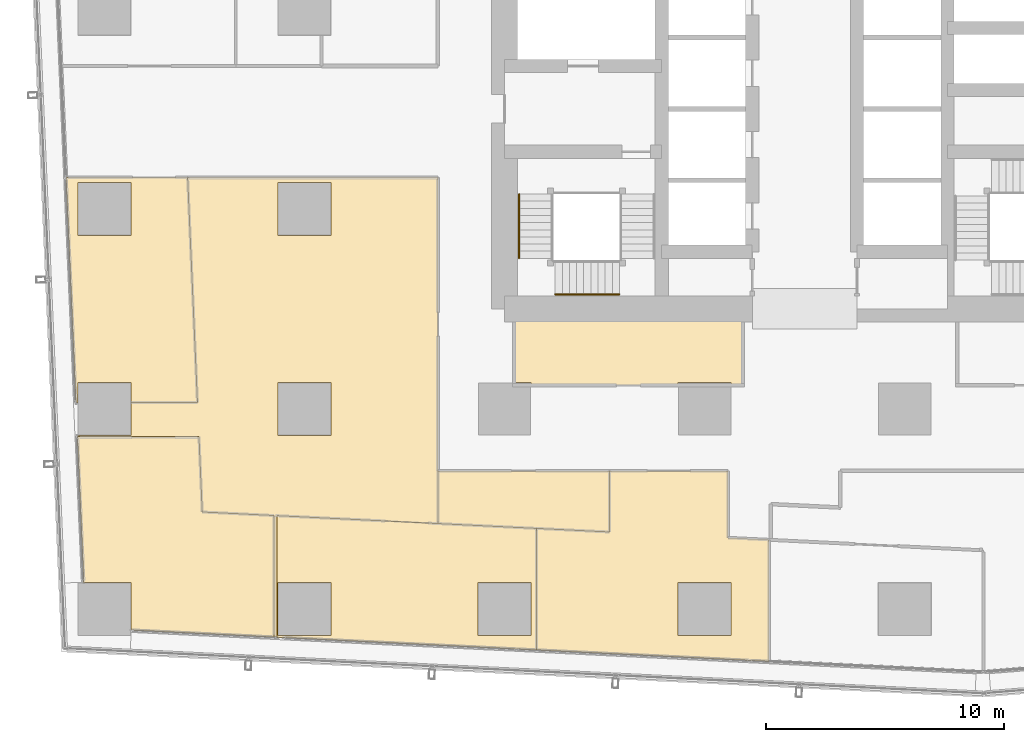
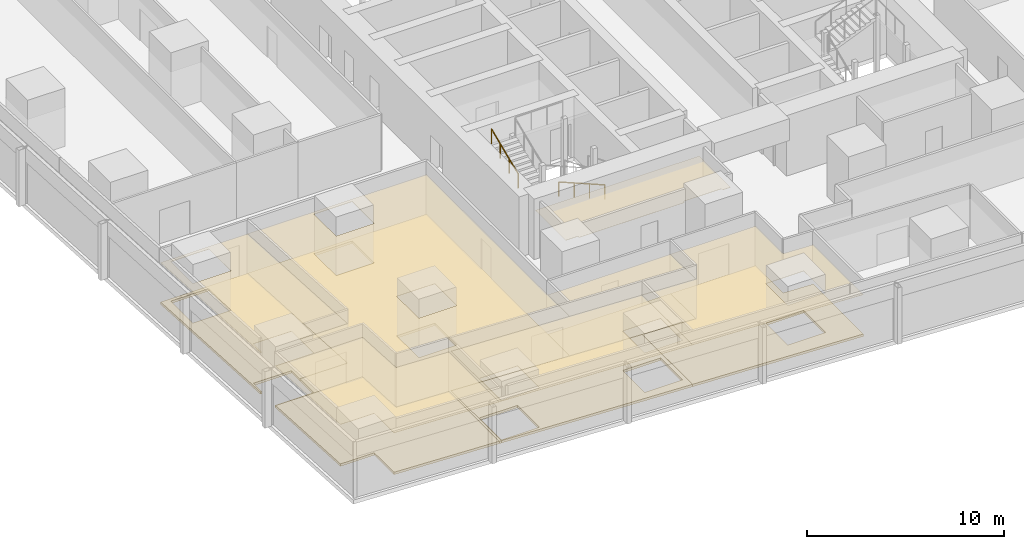
# One storey, part 36 of 44: 13 coverings, 2 railings.
"""IFC4 building model written with IfcOpenShell, lengths in metres."""

from ifc_helpers import new_model, si_unit, direction, frame, origin, origin_2d, place, context, subcontext, project, spatial, polyline, circle, outline, extrude, material, layer, layer_set, type_object, element, save


model = new_model("IFC4")

# Units and contexts
model_context = context("Model", 3, precision=1e-05, world=origin(), true_north=direction((0.0, 1.0)))
body_context = subcontext(model_context, "Body", "Model", "MODEL_VIEW")
ifc_project = project(units=[si_unit("LENGTHUNIT", "METRE"), si_unit("AREAUNIT", "SQUARE_METRE"), si_unit("VOLUMEUNIT", "CUBIC_METRE"), si_unit("PLANEANGLEUNIT", "RADIAN"), si_unit("MASSUNIT", "GRAM", prefix="KILO")], contexts=[model_context])

# Site, building, storey
site_placement = place(None, origin())
site = spatial("IfcSite", under=ifc_project, at=site_placement, CompositionType="ELEMENT")
building_placement = place(site_placement, origin())
building = spatial("IfcBuilding", under=site, at=building_placement, Name="Rekha Terrace Tower", CompositionType="ELEMENT")
storey_placement = place(building_placement, frame((0.0, 0.0, 62.89990234375)))
storey = spatial("IfcBuildingStorey", under=building, at=storey_placement, Name="L15", CompositionType="ELEMENT", Elevation=62.89990234375)

# Coverings
ifc_material_1 = material(Name="Mineral fibre tile in exposed grid", Category="finish")
ifc_layer_1 = layer(ifc_material_1, 0.02001953125)
ifc_layer_set_1 = layer_set([ifc_layer_1], Name="Mineral fibre tile in exposed grid")
covering_type_1 = type_object("IfcCoveringType", Name="CL1 600x1200 office grid ceiling", PredefinedType="CEILING", material=ifc_layer_set_1)
covering_1_placement = place(storey_placement, frame((0.0, 0.0, 2.580078125)))
element("IfcCovering", 1, at=covering_1_placement, inside=storey, type_object=covering_type_1, Name="Ceiling L15-06", PredefinedType="CEILING", context=body_context, shape_type="SweptSolid", body=[
    extrude(outline(polyline([(9.514892578125, 17.080078125), (12.30810546875, 17.080078125), (11.89599609375, 26.511962890625), (6.791015625, 26.511962890625), (7.202880859375, 17.080078125), (7.284912109375, 17.080078125), (7.284912109375, 17.9150390625), (9.514892578125, 17.9150390625), (9.514892578125, 17.080078125)]), holes=[polyline([(9.514892578125, 24.0849609375), (7.284912109375, 24.0849609375), (7.284912109375, 26.31494140625), (9.514892578125, 26.31494140625), (9.514892578125, 24.0849609375)])]), origin(), (0.0, 0.0, 1.0), 0.02001953125),
])
covering_2_placement = place(storey_placement, frame((0.0, 0.0, 2.580078125)))
element("IfcCovering", 2, at=covering_2_placement, inside=storey, type_object=covering_type_1, Name="Ceiling L15-07", PredefinedType="CEILING", context=body_context, shape_type="SweptSolid", body=[
    extrude(outline(polyline([(12.509033203125, 12.47705078125), (12.37109375, 15.64306640625), (7.26611328125, 15.64306640625), (7.533935546875, 9.514892578125), (9.514892578125, 9.514892578125), (9.514892578125, 7.51806640625), (15.52392578125, 7.222900390625), (15.52392578125, 12.3291015625), (12.509033203125, 12.47705078125)])), origin(), (0.0, 0.0, 1.0), 0.02001953125),
])
covering_3_placement = place(storey_placement, frame((0.0, 0.0, 2.580078125)))
element("IfcCovering", 3, at=covering_3_placement, inside=storey, type_object=covering_type_1, Name="Ceiling L15-08", PredefinedType="CEILING", context=body_context, shape_type="SweptSolid", body=[
    extrude(outline(polyline([(26.547119140625, 6.680908203125), (26.547119140625, 11.7880859375), (15.64306640625, 12.322998046875), (15.64306640625, 7.217041015625), (26.547119140625, 6.680908203125)]), holes=[polyline([(26.31494140625, 9.514892578125), (26.31494140625, 7.284912109375), (24.0849609375, 7.284912109375), (24.0849609375, 9.514892578125), (26.31494140625, 9.514892578125)]), polyline([(17.9150390625, 7.284912109375), (15.68505859375, 7.284912109375), (15.68505859375, 9.514892578125), (17.9150390625, 9.514892578125), (17.9150390625, 7.284912109375)])]), origin(), (0.0, 0.0, 1.0), 0.02001953125),
])
covering_4_placement = place(storey_placement, frame((0.0, 0.0, 2.580078125)))
element("IfcCovering", 4, at=covering_4_placement, inside=storey, type_object=covering_type_1, Name="Ceiling L15-09", PredefinedType="CEILING", context=body_context, shape_type="SweptSolid", body=[
    extrude(outline(polyline([(34.583984375, 14.199951171875), (29.60009765625, 14.199951171875), (29.60009765625, 11.637939453125), (26.548095703125, 11.7880859375), (26.548095703125, 6.680908203125), (36.298095703125, 6.202880859375), (36.298095703125, 11.30908203125), (34.583984375, 11.39306640625), (34.583984375, 14.199951171875)]), holes=[polyline([(34.715087890625, 7.284912109375), (32.485107421875, 7.284912109375), (32.485107421875, 9.514892578125), (34.715087890625, 9.514892578125), (34.715087890625, 7.284912109375)])]), origin(), (0.0, 0.0, 1.0), 0.02001953125),
])
covering_5_placement = place(storey_placement, frame((0.0, 0.0, 2.580078125)))
element("IfcCovering", 5, at=covering_5_placement, inside=storey, type_object=covering_type_1, Name="Ceiling L15-10", PredefinedType="CEILING", context=body_context, shape_type="SweptSolid", body=[
    extrude(outline(polyline([(29.60009765625, 14.199951171875), (22.39990234375, 14.199951171875), (22.39990234375, 11.990966796875), (26.2548828125, 11.802001953125), (29.60009765625, 11.637939453125), (29.60009765625, 14.199951171875)])), origin(), (0.0, 0.0, 1.0), 0.02001953125),
])
covering_6_placement = place(storey_placement, frame((0.0, 0.0, 2.580078125)))
element("IfcCovering", 6, at=covering_6_placement, inside=storey, type_object=covering_type_1, Name="Ceiling L15-O1b", PredefinedType="CEILING", context=body_context, shape_type="SweptSolid", body=[
    extrude(outline(polyline([(9.514892578125, 15.68505859375), (7.263916015625, 15.68505859375), (7.26611328125, 15.64306640625), (12.37109375, 15.64306640625), (12.509033203125, 12.47705078125), (15.52392578125, 12.3291015625), (15.52392578125, 7.222900390625), (15.64306640625, 7.217041015625), (15.64306640625, 12.322998046875), (22.39990234375, 11.990966796875), (22.39990234375, 26.511962890625), (11.89599609375, 26.511962890625), (12.30810546875, 17.080078125), (9.514892578125, 17.080078125), (9.514892578125, 15.68505859375)]), holes=[polyline([(17.9150390625, 15.68505859375), (15.68505859375, 15.68505859375), (15.68505859375, 17.9150390625), (17.9150390625, 17.9150390625), (17.9150390625, 15.68505859375)]), polyline([(17.9150390625, 24.0849609375), (15.68505859375, 24.0849609375), (15.68505859375, 26.31494140625), (17.9150390625, 26.31494140625), (17.9150390625, 24.0849609375)])]), origin(), (0.0, 0.0, 1.0), 0.02001953125),
])
ifc_material_2 = material(Name="Fibre cement board", Category="finish")
ifc_layer_2 = layer(ifc_material_2, 0.014892578125)
ifc_layer_set_2 = layer_set([ifc_layer_2], Name="Fibre cement board")
covering_type_2 = type_object("IfcCoveringType", Name="CL2 moisture-resistant board ceiling", PredefinedType="CEILING", material=ifc_layer_set_2)
covering_7_placement = place(storey_placement, frame((0.0, 0.0, 2.585205078125)))
element("IfcCovering", 7, at=covering_7_placement, inside=storey, type_object=covering_type_2, Name="Ceiling L15-WCM", PredefinedType="CEILING", context=body_context, shape_type="SweptSolid", body=[
    extrude(outline(polyline([(35.199951171875, 21.0), (25.60009765625, 21.0), (25.60009765625, 17.9150390625), (26.31494140625, 17.9150390625), (26.31494140625, 17.800048828125), (32.485107421875, 17.800048828125), (32.485107421875, 17.9150390625), (34.715087890625, 17.9150390625), (34.715087890625, 17.800048828125), (35.199951171875, 17.800048828125), (35.199951171875, 21.0)])), origin(), (0.0, 0.0, 1.0), 0.014892578125),
])

# Railings
ifc_material_3 = material(Name="Stainless steel tube", Category="steel")
railing_type = type_object("IfcRailingType", Name="HR1 900 stair handrail", PredefinedType="HANDRAIL", material=ifc_material_3)
railing_1_placement = place(storey_placement, frame((30.02490234375, 21.610107421875, 1.375)))
element("IfcRailing", 8, at=railing_1_placement, inside=storey, type_object=railing_type, Name="Handrail ST1 L15 flight 2", PredefinedType="HANDRAIL", context=body_context, shape_type="SweptSolid", body=[
    extrude(circle(Radius=0.02392578125, at=origin_2d()), frame((0.0, 0.0, 0.8759765625), z_axis=(-0.923074453586, 0.0, 0.384621311341), x_axis=(0.0, -1.0, 0.0)), (0.0, 0.0, 1.0), 2.925048828125),
    extrude(circle(Radius=0.02099609375, at=origin_2d()), origin(), (0.0, 0.0, 1.0), 0.851806640625),
    extrude(circle(Radius=0.02099609375, at=origin_2d()), frame((-0.89990234375, 0.0, 0.375)), (0.0, 0.0, 1.0), 0.851806640625),
    extrude(circle(Radius=0.02099609375, at=origin_2d()), frame((-1.800048828125, 0.0, 0.75)), (0.0, 0.0, 1.0), 0.851806640625),
    extrude(circle(Radius=0.02099609375, at=origin_2d()), frame((-2.699951171875, 0.0, 1.125)), (0.0, 0.0, 1.0), 0.851806640625),
])
railing_2_placement = place(storey_placement, frame((25.81005859375, 23.125, 2.625)))
element("IfcRailing", 9, at=railing_2_placement, inside=storey, type_object=railing_type, Name="Handrail ST1 L15 flight 3", PredefinedType="HANDRAIL", context=body_context, shape_type="SweptSolid", body=[
    extrude(circle(Radius=0.02392578125, at=origin_2d()), frame((0.0, 0.0, 0.8759765625), z_axis=(0.0, 0.923074453586, 0.384621311341), x_axis=(-1.0, 0.0, 0.0)), (0.0, 0.0, 1.0), 2.925048828125),
    extrude(circle(Radius=0.02099609375, at=origin_2d()), origin(), (0.0, 0.0, 1.0), 0.851806640625),
    extrude(circle(Radius=0.02099609375, at=origin_2d()), frame((0.0, 0.89990234375, 0.375)), (0.0, 0.0, 1.0), 0.851806640625),
    extrude(circle(Radius=0.02099609375, at=origin_2d()), frame((0.0, 1.800048828125, 0.75)), (0.0, 0.0, 1.0), 0.851806640625),
    extrude(circle(Radius=0.02099609375, at=origin_2d()), frame((0.0, 2.699951171875, 1.125)), (0.0, 0.0, 1.0), 0.851806640625),
])

# Coverings
ifc_material_4 = material(Name="Calcium sulphate panels on steel pedestals", Category="steel")
ifc_layer_3 = layer(ifc_material_4, 0.14990234375)
ifc_layer_set_3 = layer_set([ifc_layer_3], Name="Calcium sulphate panels on steel pedestals")
covering_type_3 = type_object("IfcCoveringType", Name="RF1 150 raised access floor", PredefinedType="FLOORING", material=ifc_layer_set_3)
covering_8_placement = place(storey_placement, origin())
element("IfcCovering", 10, at=covering_8_placement, inside=storey, type_object=covering_type_3, Name="Raised floor L15-06", PredefinedType="FLOORING", context=body_context, shape_type="SweptSolid", body=[
    extrude(outline(polyline([(9.514892578125, 17.080078125), (12.30810546875, 17.080078125), (11.89599609375, 26.511962890625), (6.791015625, 26.511962890625), (7.202880859375, 17.080078125), (7.284912109375, 17.080078125), (7.284912109375, 17.9150390625), (9.514892578125, 17.9150390625), (9.514892578125, 17.080078125)]), holes=[polyline([(9.514892578125, 24.0849609375), (7.284912109375, 24.0849609375), (7.284912109375, 26.31494140625), (9.514892578125, 26.31494140625), (9.514892578125, 24.0849609375)])]), origin(), (0.0, 0.0, 1.0), 0.150146484375),
])
covering_9_placement = place(storey_placement, origin())
element("IfcCovering", 11, at=covering_9_placement, inside=storey, type_object=covering_type_3, Name="Raised floor L15-07", PredefinedType="FLOORING", context=body_context, shape_type="SweptSolid", body=[
    extrude(outline(polyline([(12.509033203125, 12.47705078125), (12.37109375, 15.64306640625), (7.26611328125, 15.64306640625), (7.533935546875, 9.514892578125), (9.514892578125, 9.514892578125), (9.514892578125, 7.51806640625), (15.52392578125, 7.222900390625), (15.52392578125, 12.3291015625), (12.509033203125, 12.47705078125)])), origin(), (0.0, 0.0, 1.0), 0.150146484375),
])
covering_10_placement = place(storey_placement, origin())
element("IfcCovering", 12, at=covering_10_placement, inside=storey, type_object=covering_type_3, Name="Raised floor L15-08", PredefinedType="FLOORING", context=body_context, shape_type="SweptSolid", body=[
    extrude(outline(polyline([(26.547119140625, 6.680908203125), (26.547119140625, 11.7880859375), (15.64306640625, 12.322998046875), (15.64306640625, 7.217041015625), (26.547119140625, 6.680908203125)]), holes=[polyline([(26.31494140625, 9.514892578125), (26.31494140625, 7.284912109375), (24.0849609375, 7.284912109375), (24.0849609375, 9.514892578125), (26.31494140625, 9.514892578125)]), polyline([(17.9150390625, 7.284912109375), (15.68505859375, 7.284912109375), (15.68505859375, 9.514892578125), (17.9150390625, 9.514892578125), (17.9150390625, 7.284912109375)])]), origin(), (0.0, 0.0, 1.0), 0.150146484375),
])
covering_11_placement = place(storey_placement, origin())
element("IfcCovering", 13, at=covering_11_placement, inside=storey, type_object=covering_type_3, Name="Raised floor L15-09", PredefinedType="FLOORING", context=body_context, shape_type="SweptSolid", body=[
    extrude(outline(polyline([(34.583984375, 14.199951171875), (29.60009765625, 14.199951171875), (29.60009765625, 11.637939453125), (26.548095703125, 11.7880859375), (26.548095703125, 6.680908203125), (36.298095703125, 6.202880859375), (36.298095703125, 11.30908203125), (34.583984375, 11.39306640625), (34.583984375, 14.199951171875)]), holes=[polyline([(34.715087890625, 7.284912109375), (32.485107421875, 7.284912109375), (32.485107421875, 9.514892578125), (34.715087890625, 9.514892578125), (34.715087890625, 7.284912109375)])]), origin(), (0.0, 0.0, 1.0), 0.150146484375),
])
covering_12_placement = place(storey_placement, origin())
element("IfcCovering", 14, at=covering_12_placement, inside=storey, type_object=covering_type_3, Name="Raised floor L15-10", PredefinedType="FLOORING", context=body_context, shape_type="SweptSolid", body=[
    extrude(outline(polyline([(29.60009765625, 14.199951171875), (22.39990234375, 14.199951171875), (22.39990234375, 11.990966796875), (26.2548828125, 11.802001953125), (29.60009765625, 11.637939453125), (29.60009765625, 14.199951171875)])), origin(), (0.0, 0.0, 1.0), 0.150146484375),
])
covering_13_placement = place(storey_placement, origin())
element("IfcCovering", 15, at=covering_13_placement, inside=storey, type_object=covering_type_3, Name="Raised floor L15-O1b", PredefinedType="FLOORING", context=body_context, shape_type="SweptSolid", body=[
    extrude(outline(polyline([(9.514892578125, 15.68505859375), (7.263916015625, 15.68505859375), (7.26611328125, 15.64306640625), (12.37109375, 15.64306640625), (12.509033203125, 12.47705078125), (15.52392578125, 12.3291015625), (15.52392578125, 7.222900390625), (15.64306640625, 7.217041015625), (15.64306640625, 12.322998046875), (22.39990234375, 11.990966796875), (22.39990234375, 26.511962890625), (11.89599609375, 26.511962890625), (12.30810546875, 17.080078125), (9.514892578125, 17.080078125), (9.514892578125, 15.68505859375)]), holes=[polyline([(17.9150390625, 15.68505859375), (15.68505859375, 15.68505859375), (15.68505859375, 17.9150390625), (17.9150390625, 17.9150390625), (17.9150390625, 15.68505859375)]), polyline([(17.9150390625, 24.0849609375), (15.68505859375, 24.0849609375), (15.68505859375, 26.31494140625), (17.9150390625, 26.31494140625), (17.9150390625, 24.0849609375)])]), origin(), (0.0, 0.0, 1.0), 0.150146484375),
])

save(model, "model.ifc")
